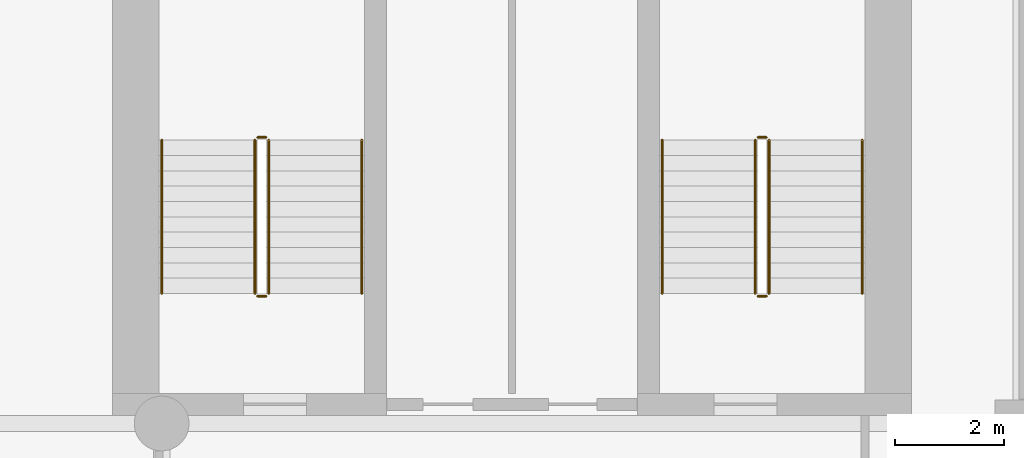
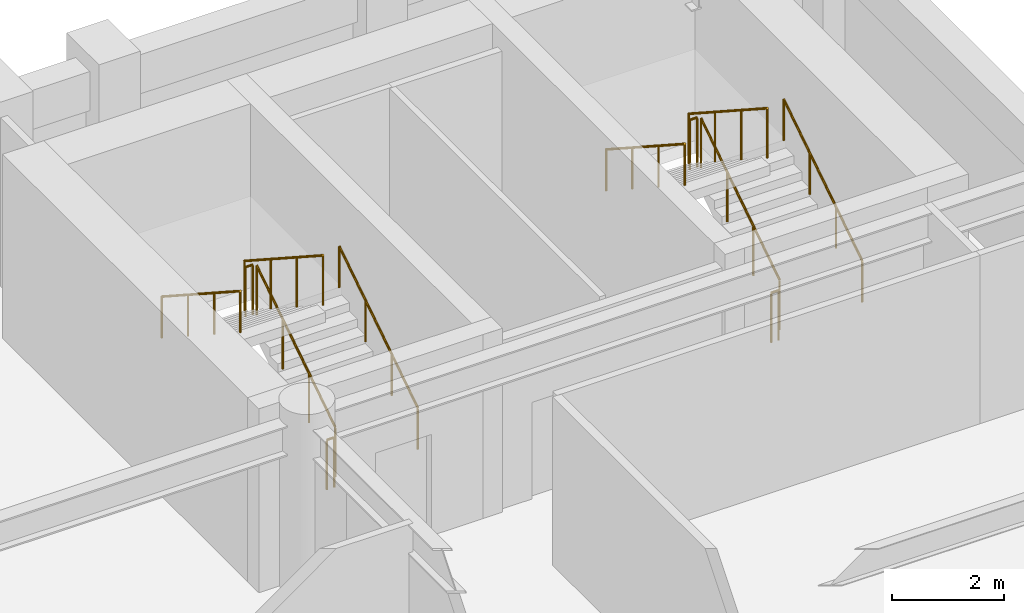
# One storey, part 8 of 8: 12 railings.
"""IFC4 building model written with IfcOpenShell, lengths in metres."""

from ifc_helpers import new_model, si_unit, direction, frame, origin, origin_2d, place, context, subcontext, project, spatial, circle, extrude, material, type_object, element, save


model = new_model("IFC4")

# Units and contexts
model_context = context("Model", 3, precision=1e-05, world=origin(), true_north=direction((0.0, 1.0)))
body_context = subcontext(model_context, "Body", "Model", "MODEL_VIEW")
ifc_project = project(units=[si_unit("LENGTHUNIT", "METRE"), si_unit("AREAUNIT", "SQUARE_METRE"), si_unit("VOLUMEUNIT", "CUBIC_METRE"), si_unit("PLANEANGLEUNIT", "RADIAN"), si_unit("MASSUNIT", "GRAM", prefix="KILO")], contexts=[model_context])

# Site, building, storey
site_placement = place(None, origin())
site = spatial("IfcSite", under=ifc_project, at=site_placement, CompositionType="ELEMENT")
building_placement = place(site_placement, origin())
building = spatial("IfcBuilding", under=site, at=building_placement, Name="Sulina Concourse Tower", CompositionType="ELEMENT")
storey_placement = place(building_placement, frame((0.0, 0.0, 156.60009765625)))
storey = spatial("IfcBuildingStorey", under=building, at=storey_placement, Name="L38", CompositionType="ELEMENT", Elevation=156.60009765625)

# Railings
ifc_material_1 = material(Name="Galvanised steel railing", Category="steel")
railing_type_1 = type_object("IfcRailingType", Name="Core Stair Steel Guardrail 1150mm", PredefinedType="GUARDRAIL", material=ifc_material_1)
railing_1_placement = place(storey_placement, frame((43.554931640625, 36.375, 0.181640625)))
element("IfcRailing", 1, at=railing_1_placement, inside=storey, type_object=railing_type_1, Name="L38 ST-3 stair guard 1", PredefinedType="GUARDRAIL", context=body_context, shape_type="SweptSolid", body=[
    extrude(circle(Radius=0.02392578125, at=origin_2d()), frame((0.0, 0.0, 1.076171875), z_axis=(0.0, 0.838672427954, 0.544636170843), x_axis=(-1.0, 0.0, 0.0)), (0.0, 0.0, 1.0), 3.338623046875),
    extrude(circle(Radius=0.02099609375, at=origin_2d()), origin(), (0.0, 0.0, 1.0), 1.052001953125),
    extrude(circle(Radius=0.02099609375, at=origin_2d()), frame((0.0, 0.933349609375, 0.606201171875)), (0.0, 0.0, 1.0), 1.052001953125),
    extrude(circle(Radius=0.02099609375, at=origin_2d()), frame((0.0, 1.86669921875, 1.212158203125)), (0.0, 0.0, 1.0), 1.052001953125),
    extrude(circle(Radius=0.02099609375, at=origin_2d()), frame((0.0, 2.800048828125, 1.818359375)), (0.0, 0.0, 1.0), 1.052001953125),
])
railing_2_placement = place(storey_placement, frame((43.5048828125, 39.22509765625, 2.0)))
element("IfcRailing", 2, at=railing_2_placement, inside=storey, type_object=railing_type_1, Name="L38 ST-3 stair guard 2", PredefinedType="GUARDRAIL", context=body_context, shape_type="SweptSolid", body=[
    extrude(circle(Radius=0.02392578125, at=origin_2d()), frame((0.0, 0.0, 1.076171875), z_axis=(-1.0, 0.0, 0.0), x_axis=(0.0, -1.0, 0.0)), (0.0, 0.0, 1.0), 0.14990234375),
    extrude(circle(Radius=0.02099609375, at=origin_2d()), origin(), (0.0, 0.0, 1.0), 1.052001953125),
    extrude(circle(Radius=0.02099609375, at=origin_2d()), frame((-0.14990234375, 0.0, 0.0)), (0.0, 0.0, 1.0), 1.052001953125),
])
railing_3_placement = place(storey_placement, frame((43.304931640625, 39.175048828125, 2.181640625)))
element("IfcRailing", 3, at=railing_3_placement, inside=storey, type_object=railing_type_1, Name="L38 ST-3 stair guard 3", PredefinedType="GUARDRAIL", context=body_context, shape_type="SweptSolid", body=[
    extrude(circle(Radius=0.02392578125, at=origin_2d()), frame((0.0, 0.0, 1.076171875), z_axis=(0.0, -0.838672427954, 0.544636170843), x_axis=(1.0, 0.0, 0.0)), (0.0, 0.0, 1.0), 3.338623046875),
    extrude(circle(Radius=0.02099609375, at=origin_2d()), origin(), (0.0, 0.0, 1.0), 1.052001953125),
    extrude(circle(Radius=0.02099609375, at=origin_2d()), frame((0.0, -0.933349609375, 0.606201171875)), (0.0, 0.0, 1.0), 1.052001953125),
    extrude(circle(Radius=0.02099609375, at=origin_2d()), frame((0.0, -1.86669921875, 1.212158203125)), (0.0, 0.0, 1.0), 1.052001953125),
    extrude(circle(Radius=0.02099609375, at=origin_2d()), frame((0.0, -2.800048828125, 1.818359375)), (0.0, 0.0, 1.0), 1.052001953125),
])
railing_4_placement = place(storey_placement, frame((43.5048828125, 36.324951171875, 0.0)))
element("IfcRailing", 4, at=railing_4_placement, inside=storey, type_object=railing_type_1, Name="L38 ST-3 stair guard 4", PredefinedType="GUARDRAIL", context=body_context, shape_type="SweptSolid", body=[
    extrude(circle(Radius=0.02392578125, at=origin_2d()), frame((0.0, 0.0, 1.076171875), z_axis=(-1.0, 0.0, 0.0), x_axis=(0.0, -1.0, 0.0)), (0.0, 0.0, 1.0), 0.14990234375),
    extrude(circle(Radius=0.02099609375, at=origin_2d()), origin(), (0.0, 0.0, 1.0), 1.052001953125),
    extrude(circle(Radius=0.02099609375, at=origin_2d()), frame((-0.14990234375, 0.0, 0.0)), (0.0, 0.0, 1.0), 1.052001953125),
])
railing_5_placement = place(storey_placement, frame((52.695068359375, 36.375, 0.181640625)))
element("IfcRailing", 5, at=railing_5_placement, inside=storey, type_object=railing_type_1, Name="L38 ST-4 stair guard 1", PredefinedType="GUARDRAIL", context=body_context, shape_type="SweptSolid", body=[
    extrude(circle(Radius=0.02392578125, at=origin_2d()), frame((0.0, 0.0, 1.076171875), z_axis=(0.0, 0.838672427954, 0.544636170843), x_axis=(-1.0, 0.0, 0.0)), (0.0, 0.0, 1.0), 3.338623046875),
    extrude(circle(Radius=0.02099609375, at=origin_2d()), origin(), (0.0, 0.0, 1.0), 1.052001953125),
    extrude(circle(Radius=0.02099609375, at=origin_2d()), frame((0.0, 0.933349609375, 0.606201171875)), (0.0, 0.0, 1.0), 1.052001953125),
    extrude(circle(Radius=0.02099609375, at=origin_2d()), frame((0.0, 1.86669921875, 1.212158203125)), (0.0, 0.0, 1.0), 1.052001953125),
    extrude(circle(Radius=0.02099609375, at=origin_2d()), frame((0.0, 2.800048828125, 1.818359375)), (0.0, 0.0, 1.0), 1.052001953125),
])
railing_6_placement = place(storey_placement, frame((52.64501953125, 39.22509765625, 2.0)))
element("IfcRailing", 6, at=railing_6_placement, inside=storey, type_object=railing_type_1, Name="L38 ST-4 stair guard 2", PredefinedType="GUARDRAIL", context=body_context, shape_type="SweptSolid", body=[
    extrude(circle(Radius=0.02392578125, at=origin_2d()), frame((0.0, 0.0, 1.076171875), z_axis=(-1.0, 0.0, 0.0), x_axis=(0.0, -1.0, 0.0)), (0.0, 0.0, 1.0), 0.14990234375),
    extrude(circle(Radius=0.02099609375, at=origin_2d()), origin(), (0.0, 0.0, 1.0), 1.052001953125),
    extrude(circle(Radius=0.02099609375, at=origin_2d()), frame((-0.14990234375, 0.0, 0.0)), (0.0, 0.0, 1.0), 1.052001953125),
])
railing_7_placement = place(storey_placement, frame((52.445068359375, 39.175048828125, 2.181640625)))
element("IfcRailing", 7, at=railing_7_placement, inside=storey, type_object=railing_type_1, Name="L38 ST-4 stair guard 3", PredefinedType="GUARDRAIL", context=body_context, shape_type="SweptSolid", body=[
    extrude(circle(Radius=0.02392578125, at=origin_2d()), frame((0.0, 0.0, 1.076171875), z_axis=(0.0, -0.838672427954, 0.544636170843), x_axis=(1.0, 0.0, 0.0)), (0.0, 0.0, 1.0), 3.338623046875),
    extrude(circle(Radius=0.02099609375, at=origin_2d()), origin(), (0.0, 0.0, 1.0), 1.052001953125),
    extrude(circle(Radius=0.02099609375, at=origin_2d()), frame((0.0, -0.933349609375, 0.606201171875)), (0.0, 0.0, 1.0), 1.052001953125),
    extrude(circle(Radius=0.02099609375, at=origin_2d()), frame((0.0, -1.86669921875, 1.212158203125)), (0.0, 0.0, 1.0), 1.052001953125),
    extrude(circle(Radius=0.02099609375, at=origin_2d()), frame((0.0, -2.800048828125, 1.818359375)), (0.0, 0.0, 1.0), 1.052001953125),
])
railing_8_placement = place(storey_placement, frame((52.64501953125, 36.324951171875, 0.0)))
element("IfcRailing", 8, at=railing_8_placement, inside=storey, type_object=railing_type_1, Name="L38 ST-4 stair guard 4", PredefinedType="GUARDRAIL", context=body_context, shape_type="SweptSolid", body=[
    extrude(circle(Radius=0.02392578125, at=origin_2d()), frame((0.0, 0.0, 1.076171875), z_axis=(-1.0, 0.0, 0.0), x_axis=(0.0, -1.0, 0.0)), (0.0, 0.0, 1.0), 0.14990234375),
    extrude(circle(Radius=0.02099609375, at=origin_2d()), origin(), (0.0, 0.0, 1.0), 1.052001953125),
    extrude(circle(Radius=0.02099609375, at=origin_2d()), frame((-0.14990234375, 0.0, 0.0)), (0.0, 0.0, 1.0), 1.052001953125),
])
ifc_material_2 = material(Name="Galvanised steel railing", Category="steel")
railing_type_2 = type_object("IfcRailingType", Name="Stair Wall Steel Handrail 920mm", PredefinedType="HANDRAIL", material=ifc_material_2)
railing_9_placement = place(storey_placement, frame((45.2548828125, 36.375, 0.181640625)))
element("IfcRailing", 9, at=railing_9_placement, inside=storey, type_object=railing_type_2, Name="L38 ST-3 stair handrail 1", PredefinedType="HANDRAIL", context=body_context, shape_type="SweptSolid", body=[
    extrude(circle(Radius=0.02392578125, at=origin_2d()), frame((0.0, 0.0, 0.89599609375), z_axis=(0.0, 0.838672427954, 0.544636170843), x_axis=(-1.0, 0.0, 0.0)), (0.0, 0.0, 1.0), 3.338623046875),
    extrude(circle(Radius=0.02099609375, at=origin_2d()), origin(), (0.0, 0.0, 1.0), 0.871826171875),
    extrude(circle(Radius=0.02099609375, at=origin_2d()), frame((0.0, 0.933349609375, 0.606201171875)), (0.0, 0.0, 1.0), 0.871826171875),
    extrude(circle(Radius=0.02099609375, at=origin_2d()), frame((0.0, 1.86669921875, 1.212158203125)), (0.0, 0.0, 1.0), 0.871826171875),
    extrude(circle(Radius=0.02099609375, at=origin_2d()), frame((0.0, 2.800048828125, 1.818359375)), (0.0, 0.0, 1.0), 0.871826171875),
])
railing_10_placement = place(storey_placement, frame((41.60498046875, 39.175048828125, 2.181640625)))
element("IfcRailing", 10, at=railing_10_placement, inside=storey, type_object=railing_type_2, Name="L38 ST-3 stair handrail 2", PredefinedType="HANDRAIL", context=body_context, shape_type="SweptSolid", body=[
    extrude(circle(Radius=0.02392578125, at=origin_2d()), frame((0.0, 0.0, 0.89599609375), z_axis=(0.0, -0.838672427954, 0.544636170843), x_axis=(1.0, 0.0, 0.0)), (0.0, 0.0, 1.0), 3.338623046875),
    extrude(circle(Radius=0.02099609375, at=origin_2d()), origin(), (0.0, 0.0, 1.0), 0.871826171875),
    extrude(circle(Radius=0.02099609375, at=origin_2d()), frame((0.0, -0.933349609375, 0.606201171875)), (0.0, 0.0, 1.0), 0.871826171875),
    extrude(circle(Radius=0.02099609375, at=origin_2d()), frame((0.0, -1.86669921875, 1.212158203125)), (0.0, 0.0, 1.0), 0.871826171875),
    extrude(circle(Radius=0.02099609375, at=origin_2d()), frame((0.0, -2.800048828125, 1.818359375)), (0.0, 0.0, 1.0), 0.871826171875),
])
railing_11_placement = place(storey_placement, frame((54.39501953125, 36.375, 0.181640625)))
element("IfcRailing", 11, at=railing_11_placement, inside=storey, type_object=railing_type_2, Name="L38 ST-4 stair handrail 1", PredefinedType="HANDRAIL", context=body_context, shape_type="SweptSolid", body=[
    extrude(circle(Radius=0.02392578125, at=origin_2d()), frame((0.0, 0.0, 0.89599609375), z_axis=(0.0, 0.838672427954, 0.544636170843), x_axis=(-1.0, 0.0, 0.0)), (0.0, 0.0, 1.0), 3.338623046875),
    extrude(circle(Radius=0.02099609375, at=origin_2d()), origin(), (0.0, 0.0, 1.0), 0.871826171875),
    extrude(circle(Radius=0.02099609375, at=origin_2d()), frame((0.0, 0.933349609375, 0.606201171875)), (0.0, 0.0, 1.0), 0.871826171875),
    extrude(circle(Radius=0.02099609375, at=origin_2d()), frame((0.0, 1.86669921875, 1.212158203125)), (0.0, 0.0, 1.0), 0.871826171875),
    extrude(circle(Radius=0.02099609375, at=origin_2d()), frame((0.0, 2.800048828125, 1.818359375)), (0.0, 0.0, 1.0), 0.871826171875),
])
railing_12_placement = place(storey_placement, frame((50.7451171875, 39.175048828125, 2.181640625)))
element("IfcRailing", 12, at=railing_12_placement, inside=storey, type_object=railing_type_2, Name="L38 ST-4 stair handrail 2", PredefinedType="HANDRAIL", context=body_context, shape_type="SweptSolid", body=[
    extrude(circle(Radius=0.02392578125, at=origin_2d()), frame((0.0, 0.0, 0.89599609375), z_axis=(0.0, -0.838672427954, 0.544636170843), x_axis=(1.0, 0.0, 0.0)), (0.0, 0.0, 1.0), 3.338623046875),
    extrude(circle(Radius=0.02099609375, at=origin_2d()), origin(), (0.0, 0.0, 1.0), 0.871826171875),
    extrude(circle(Radius=0.02099609375, at=origin_2d()), frame((0.0, -0.933349609375, 0.606201171875)), (0.0, 0.0, 1.0), 0.871826171875),
    extrude(circle(Radius=0.02099609375, at=origin_2d()), frame((0.0, -1.86669921875, 1.212158203125)), (0.0, 0.0, 1.0), 0.871826171875),
    extrude(circle(Radius=0.02099609375, at=origin_2d()), frame((0.0, -2.800048828125, 1.818359375)), (0.0, 0.0, 1.0), 0.871826171875),
])

save(model, "model.ifc")
